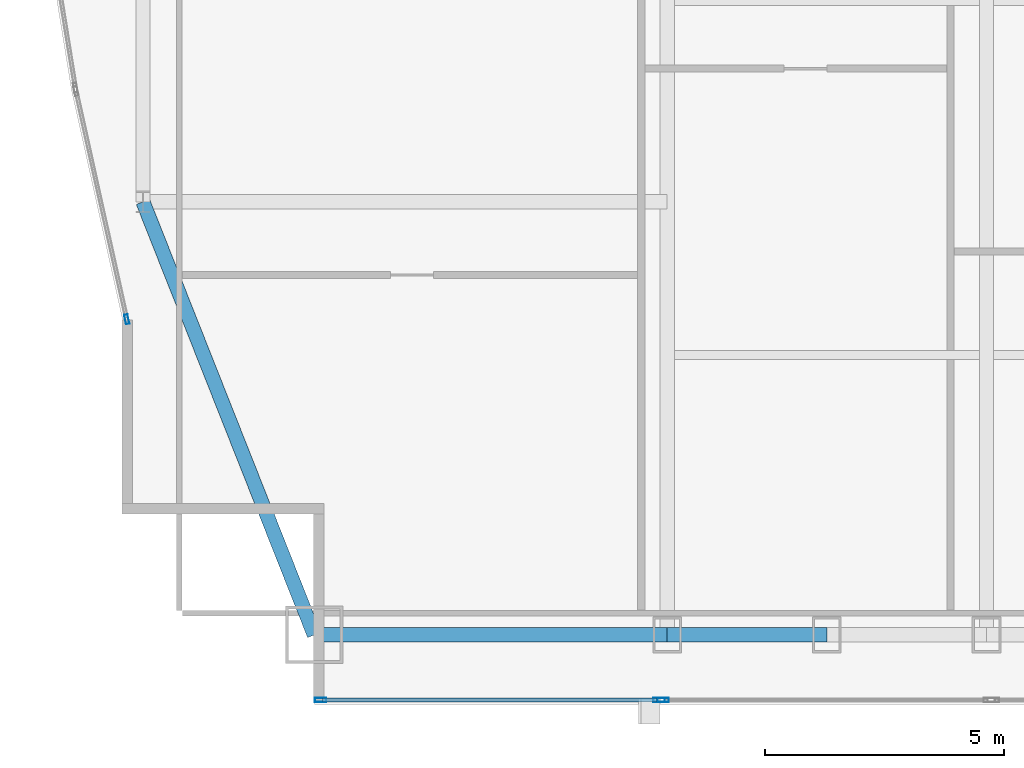
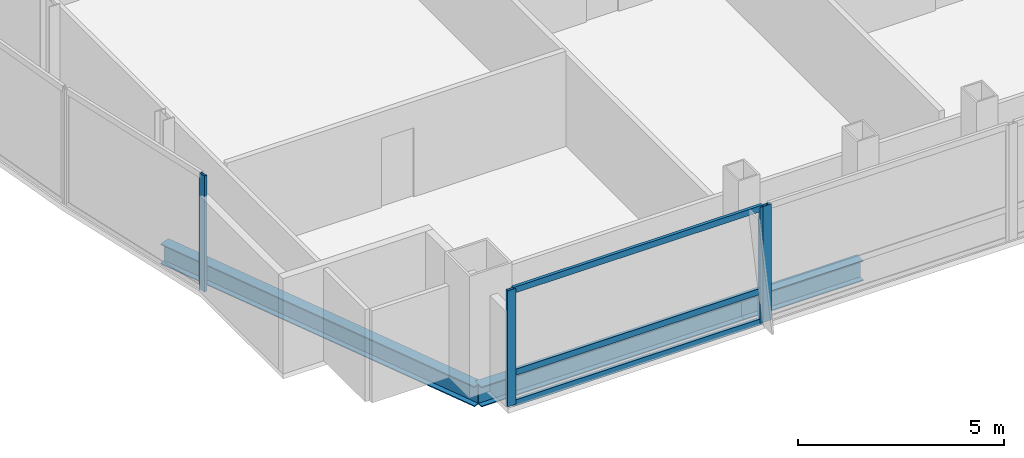
# One storey, part 5 of 30: 7 members, 3 beams, 3 elements without a shape of their own.
"""IFC4 building model written with IfcOpenShell, lengths in metres."""

import ifcopenshell
import ifcopenshell.guid

model = None  # the IFC model being written
_history = None  # IfcOwnerHistory: only IFC2X3 demands one
_inside = {}  # id of a spatial element -> (the spatial element, [elements in it])
_under = {}  # id of a project, library or spatial element -> (it, [spatial elements below it])
_declared = {}  # id of a project -> (the project, [libraries it declares])
_typed = {}  # id of a type object -> (the type object, [elements of that type])
_made_of = {}  # id of a material, layer set ... -> (it, [elements and type objects made of it])


def new_model(schema):
    """Start an empty IFC model of exactly this schema.

    Asked for "IFC4X3", IfcOpenShell would pick the latest addendum, in which some entities
    have other attributes; the version numbers below select the first issue.
    IFC2X3 requires an IfcOwnerHistory on every rooted entity: one is made here for all.
    """
    global model, _history
    if schema == "IFC4X3":
        model = ifcopenshell.file(schema_version=(4, 3, 0, 0))
    else:
        model = ifcopenshell.file(schema=schema)
    _inside.clear()
    _under.clear()
    _declared.clear()
    _typed.clear()
    _made_of.clear()
    _history = None
    if model.schema == "IFC2X3":
        org = make("IfcOrganization", Name="unknown")
        user = make(
            "IfcPersonAndOrganization",
            ThePerson=make("IfcPerson", FamilyName="unknown"),
            TheOrganization=org,
        )
        app = make(
            "IfcApplication",
            ApplicationDeveloper=org,
            Version="unknown",
            ApplicationFullName="unknown",
            ApplicationIdentifier="unknown",
        )
        _history = make(
            "IfcOwnerHistory",
            OwningUser=user,
            OwningApplication=app,
            ChangeAction="ADDED",
            CreationDate=0,
        )
    return model


def make(cls, **values):
    """One entity of the class cls with the attributes given. An attribute that is None is left unset."""
    return model.create_entity(
        cls, **{name: value for name, value in values.items() if value is not None}
    )


def rooted(cls, **values):
    """An entity with a GlobalId (a new one), such as an element, a storey or a relation."""
    return make(cls, GlobalId=ifcopenshell.guid.new(), OwnerHistory=_history, **values)


def si_unit(unit_type, name, prefix=None):
    """IfcSIUnit, for example si_unit("LENGTHUNIT", "METRE", prefix="MILLI")."""
    return make("IfcSIUnit", UnitType=unit_type, Prefix=prefix, Name=name)


def assignment(units):
    """IfcUnitAssignment: the units of a project."""
    return None if units is None else make("IfcUnitAssignment", Units=units)


def point(xyz):
    """IfcCartesianPoint."""
    return None if xyz is None else make("IfcCartesianPoint", Coordinates=xyz)


def direction(xyz):
    """IfcDirection."""
    return None if xyz is None else make("IfcDirection", DirectionRatios=xyz)


def frame(location, z_axis=None, x_axis=None):
    """IfcAxis2Placement3D, a coordinate frame: its origin and axes. An axis left out is left unset."""
    return make(
        "IfcAxis2Placement3D",
        Location=point(location),
        Axis=direction(z_axis),
        RefDirection=direction(x_axis),
    )


def frame_2d(location, x_axis=None):
    """IfcAxis2Placement2D, a coordinate frame in the plane: its origin and x axis."""
    return make(
        "IfcAxis2Placement2D", Location=point(location), RefDirection=direction(x_axis)
    )


def origin():
    """The frame at (0, 0, 0) with its axes left unset."""
    return frame((0.0, 0.0, 0.0))


def origin_2d():
    """The frame at (0, 0) in the plane with its x axis left unset."""
    return frame_2d((0.0, 0.0))


def place(relative_to, where):
    """IfcLocalPlacement: puts the frame where relative to a parent placement (None: the world)."""
    return make(
        "IfcLocalPlacement", PlacementRelTo=relative_to, RelativePlacement=where
    )


def context(
    kind, dimensions, precision=None, world=None, true_north=None, identifier=None
):
    """IfcGeometricRepresentationContext, for example the 3D "Model" context."""
    return make(
        "IfcGeometricRepresentationContext",
        ContextIdentifier=identifier,
        ContextType=kind,
        CoordinateSpaceDimension=dimensions,
        Precision=precision,
        WorldCoordinateSystem=world,
        TrueNorth=true_north,
    )


def subcontext(parent, identifier, kind, view, scale=None):
    """IfcGeometricRepresentationSubContext, for example "Body" below "Model"."""
    return make(
        "IfcGeometricRepresentationSubContext",
        ContextIdentifier=identifier,
        ContextType=kind,
        ParentContext=parent,
        TargetScale=scale,
        TargetView=view,
    )


def project(units=None, contexts=None):
    """IfcProject with its units and contexts."""
    return rooted(
        "IfcProject",
        Name="project",
        RepresentationContexts=contexts,
        UnitsInContext=assignment(units),
    )


def spatial(cls, under=None, at=None, **own):
    """A site, building, storey or space (cls), placed at a placement, below another one or the project."""
    s = rooted(cls, ObjectPlacement=at, **own)
    if under is not None:
        _under.setdefault(under.id(), (under, []))[1].append(s)
    return s


def profile(cls, at=None, kind="AREA", **sizes):
    """A parametric profile (cls). Its sizes go by their IFC names, for example OverallWidth=200.0."""
    return make(cls, ProfileType=kind, Position=at, **sizes)


def hollow_rectangle(**sizes):
    """IfcRectangleHollowProfileDef."""
    return profile("IfcRectangleHollowProfileDef", **sizes)


def i_section(**sizes):
    """IfcIShapeProfileDef."""
    return profile("IfcIShapeProfileDef", **sizes)


def extrude(swept, where, along, depth):
    """IfcExtrudedAreaSolid: the profile swept, set in the frame where, extruded along a direction by depth."""
    return make(
        "IfcExtrudedAreaSolid",
        SweptArea=swept,
        Position=where,
        ExtrudedDirection=direction(along),
        Depth=depth,
    )


def shape(context_of_items, identifier, shape_type, items):
    """IfcShapeRepresentation: the items that make up one representation, for example the "Body"."""
    return make(
        "IfcShapeRepresentation",
        ContextOfItems=context_of_items,
        RepresentationIdentifier=identifier,
        RepresentationType=shape_type,
        Items=items,
    )


def material(Name=None, Category=None):
    """IfcMaterial."""
    return make("IfcMaterial", Name=Name, Category=Category)


def material_profile(
    of_material, cross_section, Name=None, Category=None, Priority=None
):
    """IfcMaterialProfile: a cross section and its material."""
    return make(
        "IfcMaterialProfile",
        Name=Name,
        Material=of_material,
        Profile=cross_section,
        Priority=Priority,
        Category=Category,
    )


def profile_set(profiles, Name=None, composite=None):
    """IfcMaterialProfileSet."""
    return make(
        "IfcMaterialProfileSet",
        Name=Name,
        MaterialProfiles=profiles,
        CompositeProfile=composite,
    )


def made_of(thing, what):
    """Note that an element or type object is made of a material, layer set ...; save() writes the relation."""
    if what is not None:
        _made_of.setdefault(what.id(), (what, []))[1].append(thing)
    return thing


def type_object(cls, material=None, **own):
    """A type object (cls), such as IfcWallType, which elements share."""
    return made_of(rooted(cls, **own), material)


def element(
    cls,
    number,
    at=None,
    inside=None,
    cuts=None,
    type_object=None,
    material=None,
    context=None,
    identifier="Body",
    shape_type=None,
    held_by="IfcProductDefinitionShape",
    body=None,
    shapes=None,
    **own,
):
    """One element of the class cls, such as IfcWall. Its Tag is "e" and its number.

    at: its placement. inside: the storey or other place that contains it. cuts: it is an
    opening in that element (IfcRelVoidsElement). A single representation is given by context,
    identifier, shape_type and body (its items); several are given by shapes. held_by: the class
    of the entity that holds the representations. save() writes the other relations.
    """
    e = rooted(cls, Tag="e%d" % number, ObjectPlacement=at, **own)
    if body is not None:
        shapes = [shape(context, identifier, shape_type, body)]
    if shapes is not None:
        e.Representation = make(held_by, Representations=shapes)
    if inside is not None:
        _inside.setdefault(inside.id(), (inside, []))[1].append(e)
    if cuts is not None:
        rooted(
            "IfcRelVoidsElement", RelatingBuildingElement=cuts, RelatedOpeningElement=e
        )
    if type_object is not None:
        _typed.setdefault(type_object.id(), (type_object, []))[1].append(e)
    return made_of(e, material)


def aggregate(whole, parts):
    """IfcRelAggregates: a whole, such as a stair, and the parts it consists of."""
    return rooted("IfcRelAggregates", RelatingObject=whole, RelatedObjects=parts)


def save(model, path):
    """Write the relations noted so far, then the file.

    IfcRelAggregates (storeys below a building ...), IfcRelContainedInSpatialStructure (elements
    in a storey), IfcRelDefinesByType, IfcRelAssociatesMaterial and IfcRelDeclares: one each for
    every whole, place, type object, material and project.
    """
    for whole, parts in _under.values():
        aggregate(whole, parts)
    for where, things in _inside.values():
        rooted(
            "IfcRelContainedInSpatialStructure",
            RelatedElements=things,
            RelatingStructure=where,
        )
    for kind, things in _typed.values():
        rooted("IfcRelDefinesByType", RelatedObjects=things, RelatingType=kind)
    for what, things in _made_of.values():
        rooted("IfcRelAssociatesMaterial", RelatedObjects=things, RelatingMaterial=what)
    for by, libraries in _declared.values():
        rooted("IfcRelDeclares", RelatingContext=by, RelatedDefinitions=libraries)
    model.write(path)


model = new_model("IFC4")

# Units and contexts
model_context = context("Model", 3, precision=1e-05, world=origin(), true_north=direction((0.0, 1.0)))
body_context = subcontext(model_context, "Body", "Model", "MODEL_VIEW")
ifc_project = project(units=[si_unit("LENGTHUNIT", "METRE"), si_unit("AREAUNIT", "SQUARE_METRE"), si_unit("VOLUMEUNIT", "CUBIC_METRE"), si_unit("PLANEANGLEUNIT", "RADIAN"), si_unit("MASSUNIT", "GRAM", prefix="KILO")], contexts=[model_context])

# Site, building, storey
site_placement = place(None, origin())
site = spatial("IfcSite", under=ifc_project, at=site_placement, CompositionType="ELEMENT")
building_placement = place(site_placement, origin())
building = spatial("IfcBuilding", under=site, at=building_placement, Name="Khoronbel Lancet Exchange", CompositionType="ELEMENT")
storey_placement = place(building_placement, frame((0.0, 0.0, 213.800048828125)))
storey = spatial("IfcBuildingStorey", under=building, at=storey_placement, Name="L54", CompositionType="ELEMENT", Elevation=213.800048828125)

# Beams
ifc_material_1 = material(Name="Steel S355", Category="steel")
ifc_material_profile_1 = material_profile(ifc_material_1, i_section(OverallWidth=0.300048828125, OverallDepth=0.60009765625, WebThickness=0.015380859375, FlangeThickness=0.030029296875, at=origin_2d()), Name="HEB 600")
ifc_profile_set_1 = profile_set([ifc_material_profile_1], Name="Steel S355")
beam_type = type_object("IfcBeamType", Name="BM-BSP2", PredefinedType="SPANDREL", material=ifc_profile_set_1)
beam_1_placement = place(storey_placement, frame((10.85009765625, 10.14990234375, -0.4599609375), z_axis=(1.0, 0.0, 0.0), x_axis=(0.0, 1.0, 0.0)))
element("IfcBeam", 1, at=beam_1_placement, inside=storey, type_object=beam_type, Name="Level L54 perimeter spandrel beam SP01", PredefinedType="SPANDREL", context=body_context, shape_type="SweptSolid", body=[
    extrude(i_section(OverallWidth=0.300048828125, OverallDepth=0.60009765625, WebThickness=0.015380859375, FlangeThickness=0.030029296875, at=origin_2d()), origin(), (0.0, 0.0, 1.0), 7.375),
])
beam_2_placement = place(storey_placement, frame((18.22509765625, 10.14990234375, -0.4599609375), z_axis=(1.0, 0.0, 0.0), x_axis=(0.0, 1.0, 0.0)))
element("IfcBeam", 2, at=beam_2_placement, inside=storey, type_object=beam_type, Name="Level L54 perimeter spandrel beam SP02", PredefinedType="SPANDREL", context=body_context, shape_type="SweptSolid", body=[
    extrude(i_section(OverallWidth=0.300048828125, OverallDepth=0.60009765625, WebThickness=0.015380859375, FlangeThickness=0.030029296875, at=origin_2d()), origin(), (0.0, 0.0, 1.0), 3.33740234375),
])
beam_3_placement = place(storey_placement, frame((7.27001953125, 19.199951171875, -0.4599609375), z_axis=(0.367850095026, -0.92988510451, 0.0), x_axis=(0.92988510451, 0.367850095026, 0.0)))
element("IfcBeam", 3, at=beam_3_placement, inside=storey, type_object=beam_type, Name="Level L54 perimeter spandrel beam SP21", PredefinedType="SPANDREL", context=body_context, shape_type="SweptSolid", body=[
    extrude(i_section(OverallWidth=0.300048828125, OverallDepth=0.60009765625, WebThickness=0.015380859375, FlangeThickness=0.030029296875, at=origin_2d()), origin(), (0.0, 0.0, 1.0), 9.732421875),
])

# Curtain wall, members
ifc_material_2 = material(Name="Low-E Solar Control Insulating Glass", Category="glass")
curtain_wall_type_1 = type_object("IfcCurtainWallType", Name="CW-3", PredefinedType="NOTDEFINED", material=ifc_material_2)
curtain_wall_1_placement = place(storey_placement, origin())
curtain_wall_1 = element("IfcCurtainWall", 4, at=curtain_wall_1_placement, inside=storey, type_object=curtain_wall_type_1, Name="Unitised curtain wall CW-L54-SWV", PredefinedType="NOTDEFINED")
ifc_material_3 = material(Name="Bronze-Anodised Aluminium 6063-T6", Category="aluminium")
ifc_material_profile_2 = material_profile(ifc_material_3, hollow_rectangle(XDim=0.0849609375, YDim=0.239990234375, WallThickness=0.006103515625, at=origin_2d()), Name="ALU MULLION 85x240")
ifc_profile_set_2 = profile_set([ifc_material_profile_2], Name="Bronze-Anodised Aluminium 6063-T6")
member_type_1 = type_object("IfcMemberType", Name="MEM-CWM1", PredefinedType="MULLION", material=ifc_profile_set_2)
member_1_placement = place(storey_placement, frame((10.982421875, 8.7900390625, 0.0), z_axis=(0.0, 0.0, 1.0), x_axis=(0.0, 1.0, 0.0)))
member_1 = element("IfcMember", 5, at=member_1_placement, type_object=member_type_1, Name="CW3 mullion 1", PredefinedType="MULLION", context=body_context, shape_type="SweptSolid", body=[
    extrude(hollow_rectangle(XDim=0.0849609375, YDim=0.239990234375, WallThickness=0.006103515625, at=origin_2d()), origin(), (0.0, 0.0, 1.0), 3.43994140625),
])
member_2_placement = place(storey_placement, frame((18.0576171875, 8.7900390625, 0.0), z_axis=(0.0, 0.0, 1.0), x_axis=(0.0, 1.0, 0.0)))
member_2 = element("IfcMember", 6, at=member_2_placement, type_object=member_type_1, Name="CW3 mullion 2", PredefinedType="MULLION", context=body_context, shape_type="SweptSolid", body=[
    extrude(hollow_rectangle(XDim=0.0849609375, YDim=0.239990234375, WallThickness=0.006103515625, at=origin_2d()), origin(), (0.0, 0.0, 1.0), 3.43994140625),
])

# Curtain wall, member
curtain_wall_2_placement = place(storey_placement, origin())
curtain_wall_2 = element("IfcCurtainWall", 7, at=curtain_wall_2_placement, inside=storey, type_object=curtain_wall_type_1, Name="Unitised curtain wall CW-L54-SWB", PredefinedType="NOTDEFINED")
member_3_placement = place(storey_placement, frame((18.142578125, 8.7900390625, 0.0), z_axis=(0.0, 0.0, 1.0), x_axis=(0.0, 1.0, 0.0)))
member_3 = element("IfcMember", 8, at=member_3_placement, type_object=member_type_1, Name="CW3 mullion 1", PredefinedType="MULLION", context=body_context, shape_type="SweptSolid", body=[
    extrude(hollow_rectangle(XDim=0.0849609375, YDim=0.239990234375, WallThickness=0.006103515625, at=origin_2d()), origin(), (0.0, 0.0, 1.0), 3.43994140625),
])
aggregate(curtain_wall_2, [member_3])

curtain_wall_type_2 = type_object("IfcCurtainWallType", Name="CW-4", PredefinedType="NOTDEFINED", material=ifc_material_2)
curtain_wall_3_placement = place(storey_placement, origin())
curtain_wall_3 = element("IfcCurtainWall", 9, at=curtain_wall_3_placement, inside=storey, type_object=curtain_wall_type_2, Name="Unitised curtain wall CW-L54-E04", PredefinedType="NOTDEFINED")
ifc_material_profile_3 = material_profile(ifc_material_3, hollow_rectangle(XDim=0.074951171875, YDim=0.199951171875, WallThickness=0.0048828125, at=origin_2d()), Name="ALU MULLION 75x200")
ifc_profile_set_3 = profile_set([ifc_material_profile_3], Name="Bronze-Anodised Aluminium 6063-T6")
member_type_2 = type_object("IfcMemberType", Name="MEM-CWM2", PredefinedType="MULLION", material=ifc_profile_set_3)
member_4_placement = place(storey_placement, frame((6.931884765625, 16.74658203125, 0.0), z_axis=(0.0, 0.0, 1.0), x_axis=(-0.976146235114, -0.217114089072, 0.0)))
member_4 = element("IfcMember", 10, at=member_4_placement, type_object=member_type_2, Name="CW4 mullion 1", PredefinedType="MULLION", context=body_context, shape_type="SweptSolid", body=[
    extrude(hollow_rectangle(XDim=0.074951171875, YDim=0.199951171875, WallThickness=0.0048828125, at=origin_2d()), origin(), (0.0, 0.0, 1.0), 3.43994140625),
])
aggregate(curtain_wall_3, [member_4])

# Member
ifc_material_profile_4 = material_profile(ifc_material_3, hollow_rectangle(XDim=0.0849609375, YDim=0.179931640625, WallThickness=0.0048828125, at=origin_2d()), Name="ALU TRANSOM 85x180")
ifc_profile_set_4 = profile_set([ifc_material_profile_4], Name="Bronze-Anodised Aluminium 6063-T6")
member_type_3 = type_object("IfcMemberType", Name="MEM-CWT1", PredefinedType="USERDEFINED", material=ifc_profile_set_4)
member_5_placement = place(storey_placement, frame((11.02490234375, 8.7900390625, 0.04248046875), z_axis=(1.0, 0.0, 0.0), x_axis=(0.0, 1.0, 0.0)))
member_5 = element("IfcMember", 11, at=member_5_placement, type_object=member_type_3, Name="CW3 transom 1.1", ObjectType="TRANSOM", PredefinedType="USERDEFINED", context=body_context, shape_type="SweptSolid", body=[
    extrude(hollow_rectangle(XDim=0.0849609375, YDim=0.179931640625, WallThickness=0.0048828125, at=origin_2d()), origin(), (0.0, 0.0, 1.0), 6.989990234375),
])

member_6_placement = place(storey_placement, frame((11.02490234375, 8.7900390625, 0.949951171875), z_axis=(1.0, 0.0, 0.0), x_axis=(0.0, 1.0, 0.0)))
member_6 = element("IfcMember", 12, at=member_6_placement, type_object=member_type_3, Name="CW3 transom 1.2", ObjectType="TRANSOM", PredefinedType="USERDEFINED", context=body_context, shape_type="SweptSolid", body=[
    extrude(hollow_rectangle(XDim=0.0849609375, YDim=0.179931640625, WallThickness=0.0048828125, at=origin_2d()), origin(), (0.0, 0.0, 1.0), 6.989990234375),
])

member_7_placement = place(storey_placement, frame((11.02490234375, 8.7900390625, 3.3974609375), z_axis=(1.0, 0.0, 0.0), x_axis=(0.0, 1.0, 0.0)))
member_7 = element("IfcMember", 13, at=member_7_placement, type_object=member_type_3, Name="CW3 transom 1.3", ObjectType="TRANSOM", PredefinedType="USERDEFINED", context=body_context, shape_type="SweptSolid", body=[
    extrude(hollow_rectangle(XDim=0.0849609375, YDim=0.179931640625, WallThickness=0.0048828125, at=origin_2d()), origin(), (0.0, 0.0, 1.0), 6.989990234375),
])

aggregate(curtain_wall_1, [member_1, member_2, member_5, member_6, member_7])

save(model, "model.ifc")
